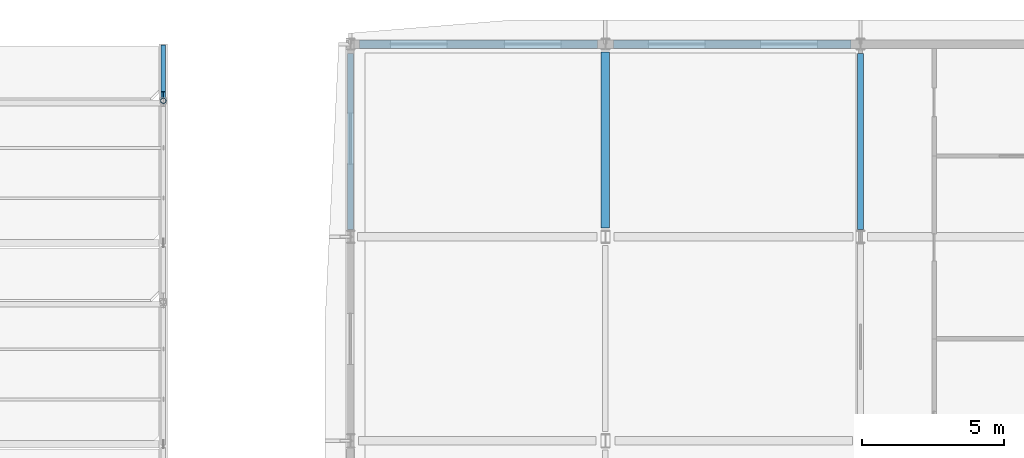
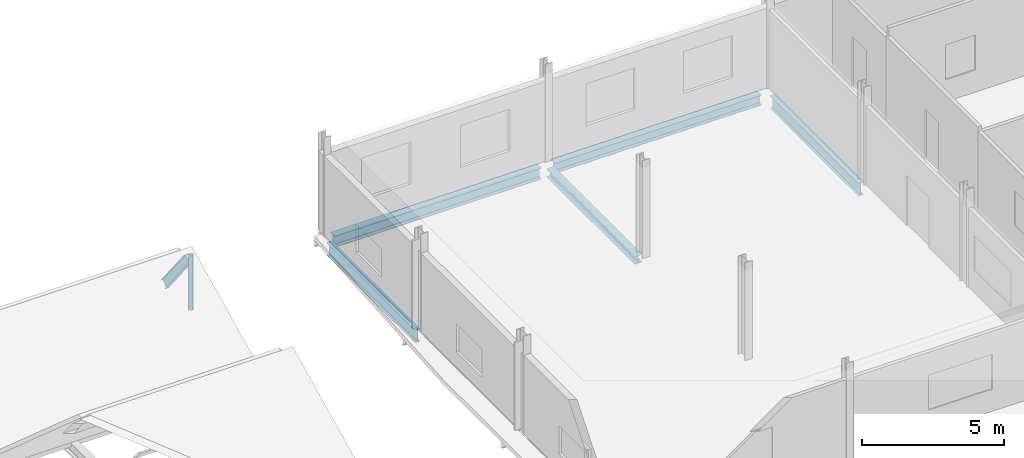
# One storey, part 87 of 138: 6 beams, 1 member.
"""IFC4 building model written with IfcOpenShell, lengths in metres."""

from ifc_helpers import new_model, si_unit, direction, frame, origin, origin_2d, place, context, subcontext, project, spatial, hollow_circle, i_section, extrude, material, material_profile, profile_set, type_object, element, save


model = new_model("IFC4")

# Units and contexts
model_context = context("Model", 3, precision=1e-05, world=origin(), true_north=direction((0.0, 1.0)))
body_context = subcontext(model_context, "Body", "Model", "MODEL_VIEW")
ifc_project = project(units=[si_unit("LENGTHUNIT", "METRE"), si_unit("AREAUNIT", "SQUARE_METRE"), si_unit("VOLUMEUNIT", "CUBIC_METRE"), si_unit("PLANEANGLEUNIT", "RADIAN"), si_unit("MASSUNIT", "GRAM", prefix="KILO")], contexts=[model_context])

# Site, building, storey
site_placement = place(None, origin())
site = spatial("IfcSite", under=ifc_project, at=site_placement, CompositionType="ELEMENT")
building_placement = place(site_placement, origin())
building = spatial("IfcBuilding", under=site, at=building_placement, Name="Vinh Khe Railworks Police Headquarters", CompositionType="ELEMENT")
storey_placement = place(building_placement, frame((0.0, 0.0, 9.0)))
storey = spatial("IfcBuildingStorey", under=building, at=storey_placement, Name="L02", CompositionType="ELEMENT", Elevation=9.0)

# Member
ifc_material = material(Name="Steel S355JR", Category="steel")
ifc_material_profile_1 = material_profile(ifc_material, hollow_circle(Radius=0.096923828125, WallThickness=0.010009765625, at=origin_2d()), Name="CHS 193.7x10")
ifc_profile_set_1 = profile_set([ifc_material_profile_1], Name="Steel S355JR")
member_type = type_object("IfcMemberType", Name="Roof Strut CHS 193.7x10", PredefinedType="STRUT", material=ifc_profile_set_1)
member_placement = place(storey_placement, frame((71.39990234375, 164.39990234375, 0.199951171875), z_axis=(0.0, 0.0, 1.0), x_axis=(1.0, 0.0, 0.0)))
element("IfcMember", 1, at=member_placement, inside=storey, type_object=member_type, Name="Sawtooth Ridge Post 4", PredefinedType="STRUT", context=body_context, shape_type="SweptSolid", body=[
    extrude(hollow_circle(Radius=0.096923828125, WallThickness=0.010009765625, at=origin_2d()), origin(), (0.0, 0.0, 1.0), 2.35009765625),
])

# Beams
ifc_material_profile_2 = material_profile(ifc_material, i_section(OverallWidth=0.300048828125, OverallDepth=0.35009765625, WebThickness=0.010009765625, FlangeThickness=0.017578125, FilletRadius=0.027099609375, at=origin_2d()), Name="HEA 360")
ifc_profile_set_2 = profile_set([ifc_material_profile_2], Name="Steel S355JR")
beam_type_1 = type_object("IfcBeamType", Name="Steel Girder HEA 360", PredefinedType="BEAM", material=ifc_profile_set_2)
beam_1_placement = place(storey_placement, frame((87.0, 159.905029296875, -0.39501953125), z_axis=(0.0, 1.0, 0.0), x_axis=(-1.0, 0.0, 0.0)))
element("IfcBeam", 2, at=beam_1_placement, inside=storey, type_object=beam_type_1, Name="Girder BM-L02-NS-SB-15-0991", PredefinedType="BEAM", context=body_context, shape_type="SweptSolid", body=[
    extrude(i_section(OverallWidth=0.300048828125, OverallDepth=0.35009765625, WebThickness=0.010009765625, FlangeThickness=0.017578125, FilletRadius=0.027099609375, at=origin_2d()), origin(), (0.0, 0.0, 1.0), 6.215087890625),
])
ifc_material_profile_3 = material_profile(ifc_material, i_section(OverallWidth=0.300048828125, OverallDepth=0.43994140625, WebThickness=0.011474609375, FlangeThickness=0.02099609375, FilletRadius=0.027099609375, at=origin_2d()), Name="HEA 450")
ifc_profile_set_3 = profile_set([ifc_material_profile_3], Name="Steel S355JR")
beam_type_2 = type_object("IfcBeamType", Name="Steel Girder HEA 450", PredefinedType="BEAM", material=ifc_profile_set_3)
beam_2_placement = place(storey_placement, frame((87.280029296875, 166.39990234375, -0.43994140625), z_axis=(1.0, 0.0, 0.0), x_axis=(0.0, 1.0, 0.0)))
element("IfcBeam", 3, at=beam_2_placement, inside=storey, type_object=beam_type_2, Name="Girder BM-L02-EW-SB-13-0868", PredefinedType="BEAM", context=body_context, shape_type="SweptSolid", body=[
    extrude(i_section(OverallWidth=0.300048828125, OverallDepth=0.43994140625, WebThickness=0.011474609375, FlangeThickness=0.02099609375, FilletRadius=0.027099609375, at=origin_2d()), origin(), (0.0, 0.0, 1.0), 8.389892578125),
])
ifc_material_profile_4 = material_profile(ifc_material, i_section(OverallWidth=0.300048828125, OverallDepth=0.489990234375, WebThickness=0.011962890625, FlangeThickness=0.02294921875, FilletRadius=0.027099609375, at=origin_2d()), Name="HEA 500")
ifc_profile_set_4 = profile_set([ifc_material_profile_4], Name="Steel S355JR")
beam_type_3 = type_object("IfcBeamType", Name="Steel Girder HEA 500", PredefinedType="BEAM", material=ifc_profile_set_4)
beam_3_placement = place(storey_placement, frame((78.330078125, 166.39990234375, -0.465087890625), z_axis=(1.0, 0.0, 0.0), x_axis=(0.0, 1.0, 0.0)))
element("IfcBeam", 4, at=beam_3_placement, inside=storey, type_object=beam_type_3, Name="Girder BM-L02-EW-SB-12-0867", PredefinedType="BEAM", context=body_context, shape_type="SweptSolid", body=[
    extrude(i_section(OverallWidth=0.300048828125, OverallDepth=0.489990234375, WebThickness=0.011962890625, FlangeThickness=0.02294921875, FilletRadius=0.027099609375, at=origin_2d()), origin(), (0.0, 0.0, 1.0), 8.389892578125),
])
ifc_material_profile_5 = material_profile(ifc_material, i_section(OverallWidth=0.169921875, OverallDepth=0.360107421875, WebThickness=0.008056640625, FlangeThickness=0.0126953125, FilletRadius=0.01806640625, at=origin_2d()), Name="IPE 360")
ifc_profile_set_5 = profile_set([ifc_material_profile_5], Name="Steel S355JR")
beam_type_4 = type_object("IfcBeamType", Name="Steel Girder IPE 360", PredefinedType="BEAM", material=ifc_profile_set_5)
beam_4_placement = place(storey_placement, frame((71.39990234375, 164.580078125, 2.25), z_axis=(0.0, 0.620956273736, -0.78384520545), x_axis=(-1.0, 0.0, 0.0)))
element("IfcBeam", 5, at=beam_4_placement, inside=storey, type_object=beam_type_4, Name="Sawtooth Clerestory Girder 4N", PredefinedType="BEAM", context=body_context, shape_type="SweptSolid", body=[
    extrude(i_section(OverallWidth=0.169921875, OverallDepth=0.360107421875, WebThickness=0.008056640625, FlangeThickness=0.0126953125, FilletRadius=0.01806640625, at=origin_2d()), origin(), (0.0, 0.0, 1.0), 2.640869140625),
])
ifc_material_profile_6 = material_profile(ifc_material, i_section(OverallWidth=0.2099609375, OverallDepth=0.550048828125, WebThickness=0.010986328125, FlangeThickness=0.01708984375, FilletRadius=0.02392578125, at=origin_2d()), Name="IPE 550")
ifc_profile_set_6 = profile_set([ifc_material_profile_6], Name="Steel S355JR")
beam_type_5 = type_object("IfcBeamType", Name="Steel Girder IPE 550", PredefinedType="BEAM", material=ifc_profile_set_6)
for number, where, z_axis, x_axis, name in (
    (6, (78.0, 159.85498046875, -0.4951171875), (0.0, 1.0, 0.0), (-1.0, 0.0, 0.0), "Girder BM-L02-NS-SB-18-0982"),
    (7, (96.0, 159.85498046875, -0.4951171875), (0.0, 1.0, 0.0), (-1.0, 0.0, 0.0), "Girder BM-L02-NS-SB-18-1000"),
):
    element("IfcBeam", number, at=place(storey_placement, frame(where, z_axis=z_axis, x_axis=x_axis)), inside=storey, type_object=beam_type_5, Name=name, PredefinedType="BEAM", context=body_context, shape_type="SweptSolid", body=[
        extrude(i_section(OverallWidth=0.2099609375, OverallDepth=0.550048828125, WebThickness=0.010986328125, FlangeThickness=0.01708984375, FilletRadius=0.02392578125, at=origin_2d()), origin(), (0.0, 0.0, 1.0), 6.215087890625),
    ])

save(model, "model.ifc")
